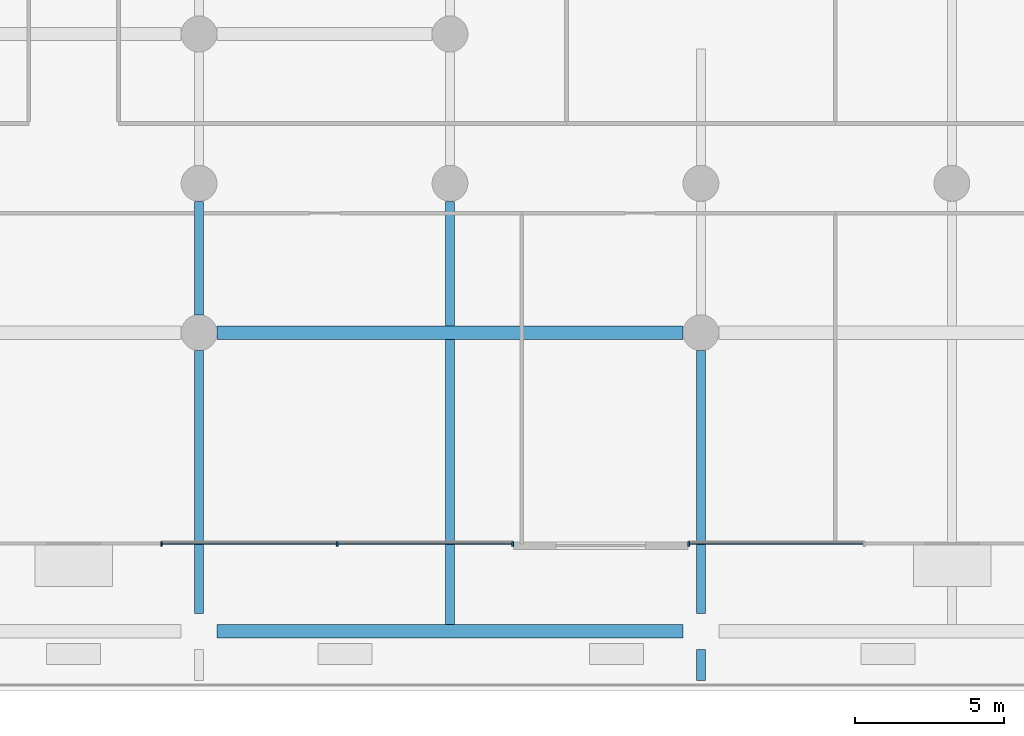
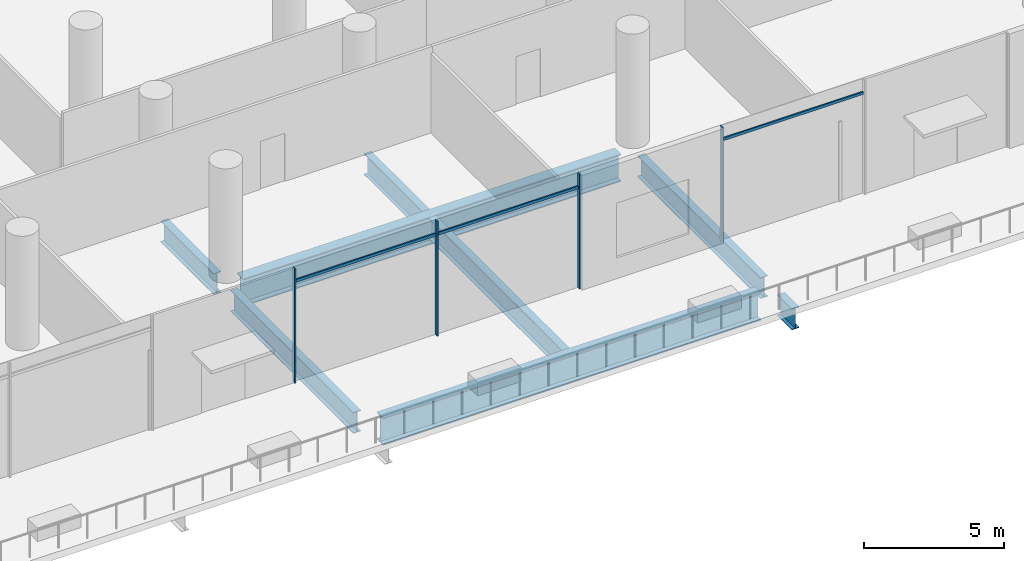
# One storey, part 13 of 51: 8 beams, 7 members, 1 element without a shape of its own.
"""IFC4 building model written with IfcOpenShell, lengths in metres."""

from ifc_helpers import new_model, si_unit, direction, frame, origin, origin_2d, place, context, subcontext, project, spatial, rectangle, i_section, extrude, material, material_profile, profile_set, type_object, element, aggregate, save


model = new_model("IFC4")

# Units and contexts
model_context = context("Model", 3, precision=1e-05, world=origin(), true_north=direction((0.0, 1.0)))
body_context = subcontext(model_context, "Body", "Model", "MODEL_VIEW")
ifc_project = project(units=[si_unit("LENGTHUNIT", "METRE"), si_unit("AREAUNIT", "SQUARE_METRE"), si_unit("VOLUMEUNIT", "CUBIC_METRE"), si_unit("PLANEANGLEUNIT", "RADIAN"), si_unit("MASSUNIT", "GRAM", prefix="KILO")], contexts=[model_context])

# Site, building, storey
site_placement = place(None, origin())
site = spatial("IfcSite", under=ifc_project, at=site_placement, CompositionType="ELEMENT")
building_placement = place(site_placement, origin())
building = spatial("IfcBuilding", under=site, at=building_placement, Name="Rimbun Link Towers", CompositionType="ELEMENT")
storey_placement = place(building_placement, frame((0.0, 0.0, 7.0)))
storey = spatial("IfcBuildingStorey", under=building, at=storey_placement, Name="L01", CompositionType="ELEMENT", Elevation=7.0)

# Curtain wall, members
ifc_material_1 = material(Name="Aluminium 6063-T6 and low-iron glass", Category="aluminium")
curtain_wall_type = type_object("IfcCurtainWallType", Name="CW3 podium shopfront", PredefinedType="NOTDEFINED", material=ifc_material_1)
curtain_wall_placement = place(storey_placement, origin())
curtain_wall = element("IfcCurtainWall", 1, at=curtain_wall_placement, inside=storey, type_object=curtain_wall_type, Name="CW3 L01 PD", PredefinedType="NOTDEFINED")
ifc_material_2 = material(Name="Aluminium 6063-T6", Category="aluminium")
ifc_material_profile_1 = material_profile(ifc_material_2, rectangle(XDim=0.14990234375, YDim=0.06005859375, at=origin_2d()), Name="MULLION 60X150")
ifc_profile_set_1 = profile_set([ifc_material_profile_1], Name="Aluminium 6063-T6")
member_type_1 = type_object("IfcMemberType", Name="CW3 mullion 60X150", PredefinedType="MULLION", material=ifc_profile_set_1)
member_1_placement = place(storey_placement, frame((2.941162109375, -43.074951171875, 0.0), z_axis=(0.0, 0.0, 1.0), x_axis=(0.0, -1.0, 0.0)))
member_1 = element("IfcMember", 2, at=member_1_placement, type_object=member_type_1, Name="CW3 mullion", PredefinedType="MULLION", context=body_context, shape_type="SweptSolid", body=[
    extrude(rectangle(XDim=0.14990234375, YDim=0.06005859375, at=origin_2d()), origin(), (0.0, 0.0, 1.0), 5.0),
])
member_2_placement = place(storey_placement, frame((8.823486328125, -43.074951171875, 0.0), z_axis=(0.0, 0.0, 1.0), x_axis=(0.0, -1.0, 0.0)))
member_2 = element("IfcMember", 3, at=member_2_placement, type_object=member_type_1, Name="CW3 mullion", PredefinedType="MULLION", context=body_context, shape_type="SweptSolid", body=[
    extrude(rectangle(XDim=0.14990234375, YDim=0.06005859375, at=origin_2d()), origin(), (0.0, 0.0, 1.0), 5.0),
])
member_3_placement = place(storey_placement, frame((14.705810546875, -43.074951171875, 0.0), z_axis=(0.0, 0.0, 1.0), x_axis=(0.0, -1.0, 0.0)))
member_3 = element("IfcMember", 4, at=member_3_placement, type_object=member_type_1, Name="CW3 mullion", PredefinedType="MULLION", context=body_context, shape_type="SweptSolid", body=[
    extrude(rectangle(XDim=0.14990234375, YDim=0.06005859375, at=origin_2d()), origin(), (0.0, 0.0, 1.0), 5.0),
])
member_4_placement = place(storey_placement, frame((20.588134765625, -43.074951171875, 0.0), z_axis=(0.0, 0.0, 1.0), x_axis=(0.0, -1.0, 0.0)))
member_4 = element("IfcMember", 5, at=member_4_placement, type_object=member_type_1, Name="CW3 mullion", PredefinedType="MULLION", context=body_context, shape_type="SweptSolid", body=[
    extrude(rectangle(XDim=0.14990234375, YDim=0.06005859375, at=origin_2d()), origin(), (0.0, 0.0, 1.0), 5.0),
])
ifc_material_3 = material(Name="Aluminium 6063-T6", Category="aluminium")
ifc_material_profile_2 = material_profile(ifc_material_3, rectangle(XDim=0.06005859375, YDim=0.1201171875, at=origin_2d()), Name="TRANSOM 60X120")
ifc_profile_set_2 = profile_set([ifc_material_profile_2], Name="Aluminium 6063-T6")
member_type_2 = type_object("IfcMemberType", Name="CW3 transom 60X120", PredefinedType="USERDEFINED", material=ifc_profile_set_2)
member_5_placement = place(storey_placement, frame((8.79345703125, -43.053955078125, 4.39990234375), z_axis=(-1.0, 0.0, 0.0), x_axis=(0.0, -1.0, 0.0)))
member_5 = element("IfcMember", 6, at=member_5_placement, type_object=member_type_2, Name="CW3 transom", ObjectType="TRANSOM", PredefinedType="USERDEFINED", context=body_context, shape_type="SweptSolid", body=[
    extrude(rectangle(XDim=0.06005859375, YDim=0.1201171875, at=origin_2d()), origin(), (0.0, 0.0, 1.0), 5.822265625),
])
member_6_placement = place(storey_placement, frame((14.67578125, -43.053955078125, 4.39990234375), z_axis=(-1.0, 0.0, 0.0), x_axis=(0.0, -1.0, 0.0)))
member_6 = element("IfcMember", 7, at=member_6_placement, type_object=member_type_2, Name="CW3 transom", ObjectType="TRANSOM", PredefinedType="USERDEFINED", context=body_context, shape_type="SweptSolid", body=[
    extrude(rectangle(XDim=0.06005859375, YDim=0.1201171875, at=origin_2d()), origin(), (0.0, 0.0, 1.0), 5.822265625),
])
member_7_placement = place(storey_placement, frame((26.440673828125, -43.053955078125, 4.39990234375), z_axis=(-1.0, 0.0, 0.0), x_axis=(0.0, -1.0, 0.0)))
member_7 = element("IfcMember", 8, at=member_7_placement, type_object=member_type_2, Name="CW3 transom", ObjectType="TRANSOM", PredefinedType="USERDEFINED", context=body_context, shape_type="SweptSolid", body=[
    extrude(rectangle(XDim=0.06005859375, YDim=0.1201171875, at=origin_2d()), origin(), (0.0, 0.0, 1.0), 5.822509765625),
])
aggregate(curtain_wall, [member_1, member_2, member_3, member_4, member_5, member_6, member_7])

# Beams
ifc_material_4 = material(Name="Steel S355J2", Category="steel")
ifc_material_profile_3 = material_profile(ifc_material_4, i_section(OverallWidth=0.449951171875, OverallDepth=1.199951171875, WebThickness=0.030029296875, FlangeThickness=0.044921875, at=origin_2d()), Name="PG 1200x450x30/45")
ifc_profile_set_3 = profile_set([ifc_material_profile_3], Name="Steel S355J2")
beam_type_1 = type_object("IfcBeamType", Name="PG 1200x450x30/45", PredefinedType="BEAM", material=ifc_profile_set_3)
for number, where, z_axis, x_axis, name in (
    (9, (4.800048828125, -46.0, -0.89990234375), (1.0, 0.0, 0.0), (0.0, 1.0, 0.0), "Grid beam L01 -46.0"),
    (10, (4.800048828125, -36.0, -0.89990234375), (1.0, 0.0, 0.0), (0.0, 1.0, 0.0), "Grid beam L01 -36.0"),
):
    element("IfcBeam", number, at=place(storey_placement, frame(where, z_axis=z_axis, x_axis=x_axis)), inside=storey, type_object=beam_type_1, Name=name, PredefinedType="BEAM", context=body_context, shape_type="SweptSolid", body=[
        extrude(i_section(OverallWidth=0.449951171875, OverallDepth=1.199951171875, WebThickness=0.030029296875, FlangeThickness=0.044921875, at=origin_2d()), origin(), (0.0, 0.0, 1.0), 15.599853515625),
    ])
ifc_material_5 = material(Name="Steel S355J2", Category="steel")
ifc_material_profile_4 = material_profile(ifc_material_5, i_section(OverallWidth=0.305419921875, OverallDepth=0.91845703125, WebThickness=0.017333984375, FlangeThickness=0.02783203125, at=origin_2d()), Name="UB 914x305x253")
ifc_profile_set_4 = profile_set([ifc_material_profile_4], Name="Steel S355J2")
beam_type_2 = type_object("IfcBeamType", Name="UB 914x305x253", PredefinedType="BEAM", material=ifc_profile_set_4)
beam_1_placement = place(storey_placement, frame((4.199951171875, -45.39990234375, -0.75927734375), z_axis=(0.0, 1.0, 0.0), x_axis=(-1.0, 0.0, 0.0)))
element("IfcBeam", 11, at=beam_1_placement, inside=storey, type_object=beam_type_2, Name="Grid beam L01 +4.2", PredefinedType="BEAM", context=body_context, shape_type="SweptSolid", body=[
    extrude(i_section(OverallWidth=0.305419921875, OverallDepth=0.91845703125, WebThickness=0.017333984375, FlangeThickness=0.02783203125, at=origin_2d()), origin(), (0.0, 0.0, 1.0), 8.7998046875),
])
beam_2_placement = place(storey_placement, frame((4.199951171875, -35.39990234375, -0.75927734375), z_axis=(0.0, 1.0, 0.0), x_axis=(-1.0, 0.0, 0.0)))
element("IfcBeam", 12, at=beam_2_placement, inside=storey, type_object=beam_type_2, Name="Grid beam L01 +4.2", PredefinedType="BEAM", context=body_context, shape_type="SweptSolid", body=[
    extrude(i_section(OverallWidth=0.305419921875, OverallDepth=0.91845703125, WebThickness=0.017333984375, FlangeThickness=0.02783203125, at=origin_2d()), origin(), (0.0, 0.0, 1.0), 3.7998046875),
])
beam_3_placement = place(storey_placement, frame((12.60009765625, -45.77490234375, -0.75927734375), z_axis=(0.0, 1.0, 0.0), x_axis=(-1.0, 0.0, 0.0)))
element("IfcBeam", 13, at=beam_3_placement, inside=storey, type_object=beam_type_2, Name="Grid beam L01 +12.6", PredefinedType="BEAM", context=body_context, shape_type="SweptSolid", body=[
    extrude(i_section(OverallWidth=0.305419921875, OverallDepth=0.91845703125, WebThickness=0.017333984375, FlangeThickness=0.02783203125, at=origin_2d()), origin(), (0.0, 0.0, 1.0), 9.5498046875),
])
beam_4_placement = place(storey_placement, frame((12.60009765625, -35.77490234375, -0.75927734375), z_axis=(0.0, 1.0, 0.0), x_axis=(-1.0, 0.0, 0.0)))
element("IfcBeam", 14, at=beam_4_placement, inside=storey, type_object=beam_type_2, Name="Grid beam L01 +12.6", PredefinedType="BEAM", context=body_context, shape_type="SweptSolid", body=[
    extrude(i_section(OverallWidth=0.305419921875, OverallDepth=0.91845703125, WebThickness=0.017333984375, FlangeThickness=0.02783203125, at=origin_2d()), origin(), (0.0, 0.0, 1.0), 4.1748046875),
])
beam_5_placement = place(storey_placement, frame((21.0, -47.649169921875, -0.75927734375), z_axis=(0.0, 1.0, 0.0), x_axis=(-1.0, 0.0, 0.0)))
element("IfcBeam", 15, at=beam_5_placement, inside=storey, type_object=beam_type_2, Name="Grid beam L01 +21.0", PredefinedType="BEAM", context=body_context, shape_type="SweptSolid", body=[
    extrude(i_section(OverallWidth=0.305419921875, OverallDepth=0.91845703125, WebThickness=0.017333984375, FlangeThickness=0.02783203125, at=origin_2d()), origin(), (0.0, 0.0, 1.0), 1.049072265625),
])
beam_6_placement = place(storey_placement, frame((21.0, -45.39990234375, -0.75927734375), z_axis=(0.0, 1.0, 0.0), x_axis=(-1.0, 0.0, 0.0)))
element("IfcBeam", 16, at=beam_6_placement, inside=storey, type_object=beam_type_2, Name="Grid beam L01 +21.0", PredefinedType="BEAM", context=body_context, shape_type="SweptSolid", body=[
    extrude(i_section(OverallWidth=0.305419921875, OverallDepth=0.91845703125, WebThickness=0.017333984375, FlangeThickness=0.02783203125, at=origin_2d()), origin(), (0.0, 0.0, 1.0), 8.7998046875),
])

save(model, "model.ifc")
